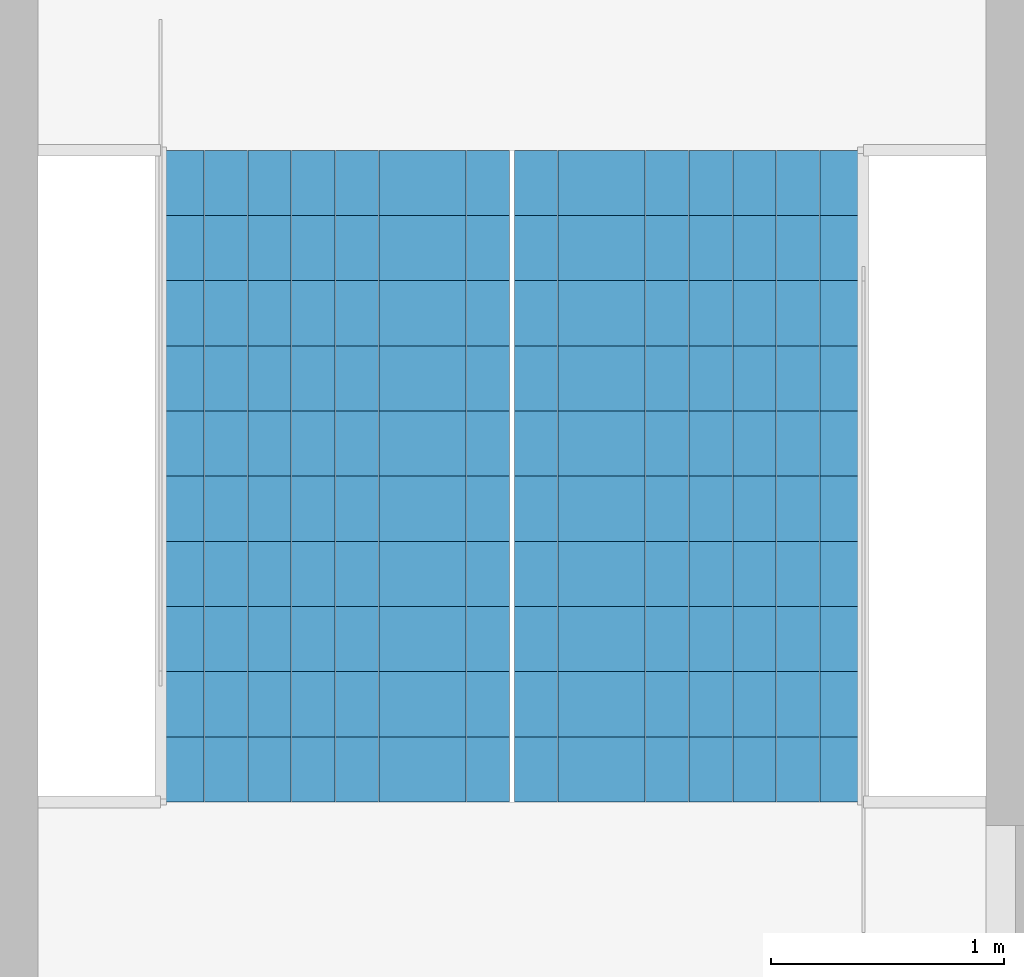
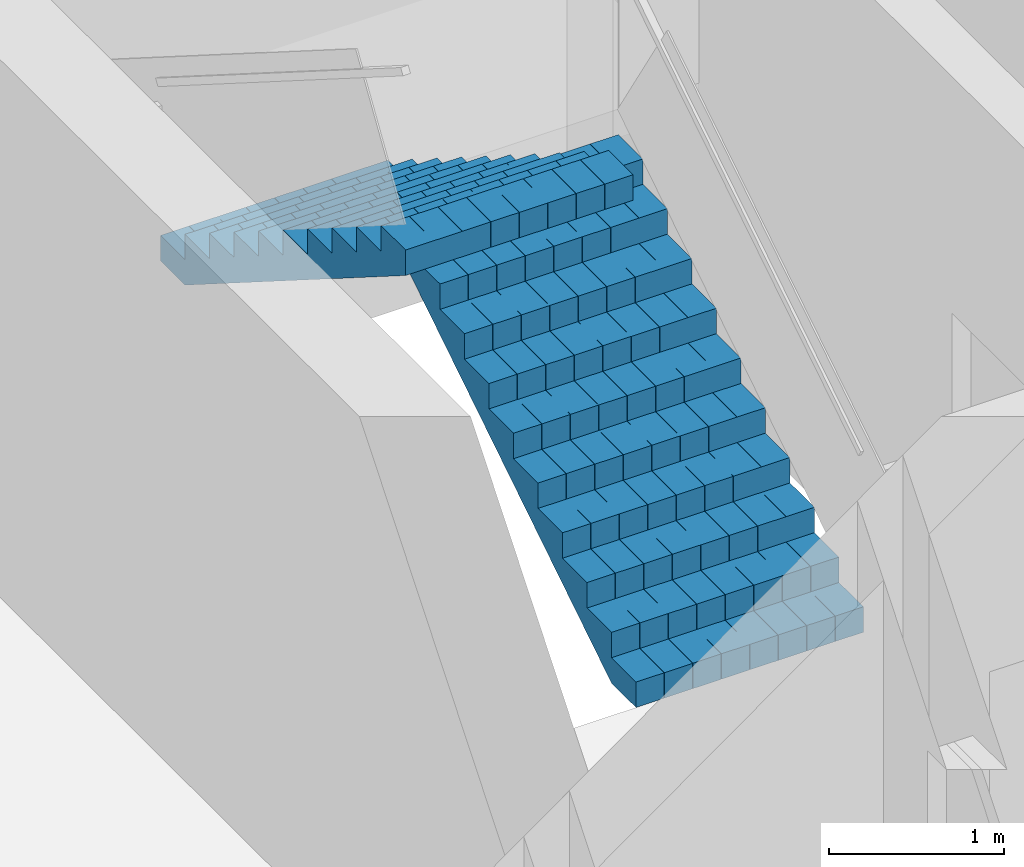
# One storey, part 14 of 16: 2 stair flights, 1 element without a shape of its own.
"""IFC4 building model written with IfcOpenShell, lengths in metres."""

from ifc_helpers import new_model, si_unit, direction, frame, origin, place, context, subcontext, project, spatial, polyline, outline, extrude, material, type_object, element, aggregate, save


model = new_model("IFC4")

# Units and contexts
model_context = context("Model", 3, precision=1e-05, world=origin(), true_north=direction((0.0, 1.0)))
body_context = subcontext(model_context, "Body", "Model", "MODEL_VIEW")
ifc_project = project(units=[si_unit("LENGTHUNIT", "METRE"), si_unit("AREAUNIT", "SQUARE_METRE"), si_unit("VOLUMEUNIT", "CUBIC_METRE"), si_unit("PLANEANGLEUNIT", "RADIAN"), si_unit("MASSUNIT", "GRAM", prefix="KILO")], contexts=[model_context])

# Site, building, storey
site_placement = place(None, origin())
site = spatial("IfcSite", under=ifc_project, at=site_placement, CompositionType="ELEMENT")
building_placement = place(site_placement, origin())
building = spatial("IfcBuilding", under=site, at=building_placement, Name="Kolab Exchange Tower", CompositionType="ELEMENT")
storey_placement = place(building_placement, frame((0.0, 0.0, 269.60009765625)))
storey = spatial("IfcBuildingStorey", under=building, at=storey_placement, Name="L60", CompositionType="ELEMENT", Elevation=269.60009765625)

# Stair, stair flights
ifc_material = material(Name="Concrete C50/60", Category="concrete")
stair_type = type_object("IfcStairType", Name="STAIR ST1 RISER 177.3", PredefinedType="HALF_TURN_STAIR", material=ifc_material)
stair_placement = place(storey_placement, origin())
stair = element("IfcStair", 1, at=stair_placement, inside=storey, type_object=stair_type, Name="Stair 1", PredefinedType="HALF_TURN_STAIR")
stair_flight_type = type_object("IfcStairFlightType", Name="STAIR FLIGHT 1500 RISER 177.3", PredefinedType="STRAIGHT", material=ifc_material)
stair_flight_1_placement = place(storey_placement, frame((-6.527587890625, 5.550048828125, 0.0), z_axis=(0.0, 0.0, 1.0), x_axis=(0.0, 1.0, 0.0)))
stair_flight_1 = element("IfcStairFlight", 2, at=stair_flight_1_placement, type_object=stair_flight_type, Name="ST1 flight 1", NumberOfRisers=11, NumberOfTreads=10, PredefinedType="STRAIGHT", RiserHeight=0.177272727, TreadLength=0.28, context=body_context, shape_type="SweptSolid", body=[
    extrude(outline(polyline([(0.0, 0.0), (0.0, 0.17724609375), (0.280029296875, 0.17724609375), (0.280029296875, 0.3544921875), (0.56005859375, 0.3544921875), (0.56005859375, 0.53173828125), (0.840087890625, 0.53173828125), (0.840087890625, 0.708984375), (1.1201171875, 0.708984375), (1.1201171875, 0.886474609375), (1.39990234375, 0.886474609375), (1.39990234375, 1.063720703125), (1.679931640625, 1.063720703125), (1.679931640625, 1.240966796875), (1.9599609375, 1.240966796875), (1.9599609375, 1.418212890625), (2.239990234375, 1.418212890625), (2.239990234375, 1.595458984375), (2.52001953125, 1.595458984375), (2.52001953125, 1.772705078125), (2.800048828125, 1.772705078125), (2.800048828125, 1.949951171875), (2.800048828125, 1.59521484375), (0.2802734375, 0.0), (0.0, 0.0)])), frame((0.0, 0.75, 0.0), z_axis=(0.0, -1.0, 0.0), x_axis=(1.0, 0.0, 0.0)), (0.0, 0.0, 1.0), 0.185791015625),
    extrude(outline(polyline([(0.0, 0.0), (0.0, 0.17724609375), (0.280029296875, 0.17724609375), (0.280029296875, 0.3544921875), (0.56005859375, 0.3544921875), (0.56005859375, 0.53173828125), (0.840087890625, 0.53173828125), (0.840087890625, 0.708984375), (1.1201171875, 0.708984375), (1.1201171875, 0.886474609375), (1.39990234375, 0.886474609375), (1.39990234375, 1.063720703125), (1.679931640625, 1.063720703125), (1.679931640625, 1.240966796875), (1.9599609375, 1.240966796875), (1.9599609375, 1.418212890625), (2.239990234375, 1.418212890625), (2.239990234375, 1.595458984375), (2.52001953125, 1.595458984375), (2.52001953125, 1.772705078125), (2.800048828125, 1.772705078125), (2.800048828125, 1.949951171875), (2.800048828125, 1.59521484375), (0.2802734375, 0.0), (0.0, 0.0)])), frame((0.0, 0.562255859375, 0.0), z_axis=(0.0, -1.0, 0.0), x_axis=(1.0, 0.0, 0.0)), (0.0, 0.0, 1.0), 0.185791015625),
    extrude(outline(polyline([(0.0, 0.0), (0.0, 0.17724609375), (0.280029296875, 0.17724609375), (0.280029296875, 0.3544921875), (0.56005859375, 0.3544921875), (0.56005859375, 0.53173828125), (0.840087890625, 0.53173828125), (0.840087890625, 0.708984375), (1.1201171875, 0.708984375), (1.1201171875, 0.886474609375), (1.39990234375, 0.886474609375), (1.39990234375, 1.063720703125), (1.679931640625, 1.063720703125), (1.679931640625, 1.240966796875), (1.9599609375, 1.240966796875), (1.9599609375, 1.418212890625), (2.239990234375, 1.418212890625), (2.239990234375, 1.595458984375), (2.52001953125, 1.595458984375), (2.52001953125, 1.772705078125), (2.800048828125, 1.772705078125), (2.800048828125, 1.949951171875), (2.800048828125, 1.59521484375), (0.2802734375, 0.0), (0.0, 0.0)])), frame((0.0, 0.37451171875, 0.0), z_axis=(0.0, -1.0, 0.0), x_axis=(1.0, 0.0, 0.0)), (0.0, 0.0, 1.0), 0.185791015625),
    extrude(outline(polyline([(0.0, 0.0), (0.0, 0.17724609375), (0.280029296875, 0.17724609375), (0.280029296875, 0.3544921875), (0.56005859375, 0.3544921875), (0.56005859375, 0.53173828125), (0.840087890625, 0.53173828125), (0.840087890625, 0.708984375), (1.1201171875, 0.708984375), (1.1201171875, 0.886474609375), (1.39990234375, 0.886474609375), (1.39990234375, 1.063720703125), (1.679931640625, 1.063720703125), (1.679931640625, 1.240966796875), (1.9599609375, 1.240966796875), (1.9599609375, 1.418212890625), (2.239990234375, 1.418212890625), (2.239990234375, 1.595458984375), (2.52001953125, 1.595458984375), (2.52001953125, 1.772705078125), (2.800048828125, 1.772705078125), (2.800048828125, 1.949951171875), (2.800048828125, 1.59521484375), (0.2802734375, 0.0), (0.0, 0.0)])), frame((0.0, 0.186767578125, 0.0), z_axis=(0.0, -1.0, 0.0), x_axis=(1.0, 0.0, 0.0)), (0.0, 0.0, 1.0), 0.185791015625),
    extrude(outline(polyline([(0.0, 0.0), (0.0, 0.17724609375), (0.280029296875, 0.17724609375), (0.280029296875, 0.3544921875), (0.56005859375, 0.3544921875), (0.56005859375, 0.53173828125), (0.840087890625, 0.53173828125), (0.840087890625, 0.708984375), (1.1201171875, 0.708984375), (1.1201171875, 0.886474609375), (1.39990234375, 0.886474609375), (1.39990234375, 1.063720703125), (1.679931640625, 1.063720703125), (1.679931640625, 1.240966796875), (1.9599609375, 1.240966796875), (1.9599609375, 1.418212890625), (2.239990234375, 1.418212890625), (2.239990234375, 1.595458984375), (2.52001953125, 1.595458984375), (2.52001953125, 1.772705078125), (2.800048828125, 1.772705078125), (2.800048828125, 1.949951171875), (2.800048828125, 1.59521484375), (0.2802734375, 0.0), (0.0, 0.0)])), frame((0.0, -0.0009765625, 0.0), z_axis=(0.0, -1.0, 0.0), x_axis=(1.0, 0.0, 0.0)), (0.0, 0.0, 1.0), 0.185791015625),
    extrude(outline(polyline([(0.0, 0.0), (0.0, 0.17724609375), (0.280029296875, 0.17724609375), (0.280029296875, 0.3544921875), (0.56005859375, 0.3544921875), (0.56005859375, 0.53173828125), (0.840087890625, 0.53173828125), (0.840087890625, 0.708984375), (1.1201171875, 0.708984375), (1.1201171875, 0.886474609375), (1.39990234375, 0.886474609375), (1.39990234375, 1.063720703125), (1.679931640625, 1.063720703125), (1.679931640625, 1.240966796875), (1.9599609375, 1.240966796875), (1.9599609375, 1.418212890625), (2.239990234375, 1.418212890625), (2.239990234375, 1.595458984375), (2.52001953125, 1.595458984375), (2.52001953125, 1.772705078125), (2.800048828125, 1.772705078125), (2.800048828125, 1.949951171875), (2.800048828125, 1.59521484375), (0.2802734375, 0.0), (0.0, 0.0)])), frame((0.0, -0.188720703125, 0.0), z_axis=(0.0, -1.0, 0.0), x_axis=(1.0, 0.0, 0.0)), (0.0, 0.0, 1.0), 0.185791015625),
    extrude(outline(polyline([(0.0, 0.0), (0.0, 0.17724609375), (0.280029296875, 0.17724609375), (0.280029296875, 0.3544921875), (0.56005859375, 0.3544921875), (0.56005859375, 0.53173828125), (0.840087890625, 0.53173828125), (0.840087890625, 0.708984375), (1.1201171875, 0.708984375), (1.1201171875, 0.886474609375), (1.39990234375, 0.886474609375), (1.39990234375, 1.063720703125), (1.679931640625, 1.063720703125), (1.679931640625, 1.240966796875), (1.9599609375, 1.240966796875), (1.9599609375, 1.418212890625), (2.239990234375, 1.418212890625), (2.239990234375, 1.595458984375), (2.52001953125, 1.595458984375), (2.52001953125, 1.772705078125), (2.800048828125, 1.772705078125), (2.800048828125, 1.949951171875), (2.800048828125, 1.59521484375), (0.2802734375, 0.0), (0.0, 0.0)])), frame((0.0, -0.37646484375, 0.0), z_axis=(0.0, -1.0, 0.0), x_axis=(1.0, 0.0, 0.0)), (0.0, 0.0, 1.0), 0.185791015625),
    extrude(outline(polyline([(0.0, 0.0), (0.0, 0.17724609375), (0.280029296875, 0.17724609375), (0.280029296875, 0.3544921875), (0.56005859375, 0.3544921875), (0.56005859375, 0.53173828125), (0.840087890625, 0.53173828125), (0.840087890625, 0.708984375), (1.1201171875, 0.708984375), (1.1201171875, 0.886474609375), (1.39990234375, 0.886474609375), (1.39990234375, 1.063720703125), (1.679931640625, 1.063720703125), (1.679931640625, 1.240966796875), (1.9599609375, 1.240966796875), (1.9599609375, 1.418212890625), (2.239990234375, 1.418212890625), (2.239990234375, 1.595458984375), (2.52001953125, 1.595458984375), (2.52001953125, 1.772705078125), (2.800048828125, 1.772705078125), (2.800048828125, 1.949951171875), (2.800048828125, 1.59521484375), (0.2802734375, 0.0), (0.0, 0.0)])), frame((0.0, -0.564208984375, 0.0), z_axis=(0.0, -1.0, 0.0), x_axis=(1.0, 0.0, 0.0)), (0.0, 0.0, 1.0), 0.185791015625),
])
stair_flight_2_placement = place(storey_placement, frame((-8.047607421875, 8.35009765625, 1.949951171875), z_axis=(0.0, 0.0, 1.0), x_axis=(0.0, -1.0, 0.0)))
stair_flight_2 = element("IfcStairFlight", 3, at=stair_flight_2_placement, type_object=stair_flight_type, Name="ST1 flight 2", NumberOfRisers=11, NumberOfTreads=10, PredefinedType="STRAIGHT", RiserHeight=0.177272727, TreadLength=0.28, context=body_context, shape_type="SweptSolid", body=[
    extrude(outline(polyline([(0.0, 0.0), (0.0, 0.17724609375), (0.280029296875, 0.17724609375), (0.280029296875, 0.3544921875), (0.56005859375, 0.3544921875), (0.56005859375, 0.53173828125), (0.840087890625, 0.53173828125), (0.840087890625, 0.708984375), (1.1201171875, 0.708984375), (1.1201171875, 0.886474609375), (1.39990234375, 0.886474609375), (1.39990234375, 1.063720703125), (1.679931640625, 1.063720703125), (1.679931640625, 1.240966796875), (1.9599609375, 1.240966796875), (1.9599609375, 1.418212890625), (2.239990234375, 1.418212890625), (2.239990234375, 1.595458984375), (2.52001953125, 1.595458984375), (2.52001953125, 1.772705078125), (2.800048828125, 1.772705078125), (2.800048828125, 1.949951171875), (2.800048828125, 1.59521484375), (0.2802734375, 0.0), (0.0, 0.0)])), frame((0.0, 0.75, 0.0), z_axis=(0.0, -1.0, 0.0), x_axis=(1.0, 0.0, 0.0)), (0.0, 0.0, 1.0), 0.185791015625),
    extrude(outline(polyline([(0.0, 0.0), (0.0, 0.17724609375), (0.280029296875, 0.17724609375), (0.280029296875, 0.3544921875), (0.56005859375, 0.3544921875), (0.56005859375, 0.53173828125), (0.840087890625, 0.53173828125), (0.840087890625, 0.708984375), (1.1201171875, 0.708984375), (1.1201171875, 0.886474609375), (1.39990234375, 0.886474609375), (1.39990234375, 1.063720703125), (1.679931640625, 1.063720703125), (1.679931640625, 1.240966796875), (1.9599609375, 1.240966796875), (1.9599609375, 1.418212890625), (2.239990234375, 1.418212890625), (2.239990234375, 1.595458984375), (2.52001953125, 1.595458984375), (2.52001953125, 1.772705078125), (2.800048828125, 1.772705078125), (2.800048828125, 1.949951171875), (2.800048828125, 1.59521484375), (0.2802734375, 0.0), (0.0, 0.0)])), frame((0.0, 0.562255859375, 0.0), z_axis=(0.0, -1.0, 0.0), x_axis=(1.0, 0.0, 0.0)), (0.0, 0.0, 1.0), 0.185791015625),
    extrude(outline(polyline([(0.0, 0.0), (0.0, 0.17724609375), (0.280029296875, 0.17724609375), (0.280029296875, 0.3544921875), (0.56005859375, 0.3544921875), (0.56005859375, 0.53173828125), (0.840087890625, 0.53173828125), (0.840087890625, 0.708984375), (1.1201171875, 0.708984375), (1.1201171875, 0.886474609375), (1.39990234375, 0.886474609375), (1.39990234375, 1.063720703125), (1.679931640625, 1.063720703125), (1.679931640625, 1.240966796875), (1.9599609375, 1.240966796875), (1.9599609375, 1.418212890625), (2.239990234375, 1.418212890625), (2.239990234375, 1.595458984375), (2.52001953125, 1.595458984375), (2.52001953125, 1.772705078125), (2.800048828125, 1.772705078125), (2.800048828125, 1.949951171875), (2.800048828125, 1.59521484375), (0.2802734375, 0.0), (0.0, 0.0)])), frame((0.0, 0.37451171875, 0.0), z_axis=(0.0, -1.0, 0.0), x_axis=(1.0, 0.0, 0.0)), (0.0, 0.0, 1.0), 0.185791015625),
    extrude(outline(polyline([(0.0, 0.0), (0.0, 0.17724609375), (0.280029296875, 0.17724609375), (0.280029296875, 0.3544921875), (0.56005859375, 0.3544921875), (0.56005859375, 0.53173828125), (0.840087890625, 0.53173828125), (0.840087890625, 0.708984375), (1.1201171875, 0.708984375), (1.1201171875, 0.886474609375), (1.39990234375, 0.886474609375), (1.39990234375, 1.063720703125), (1.679931640625, 1.063720703125), (1.679931640625, 1.240966796875), (1.9599609375, 1.240966796875), (1.9599609375, 1.418212890625), (2.239990234375, 1.418212890625), (2.239990234375, 1.595458984375), (2.52001953125, 1.595458984375), (2.52001953125, 1.772705078125), (2.800048828125, 1.772705078125), (2.800048828125, 1.949951171875), (2.800048828125, 1.59521484375), (0.2802734375, 0.0), (0.0, 0.0)])), frame((0.0, 0.186767578125, 0.0), z_axis=(0.0, -1.0, 0.0), x_axis=(1.0, 0.0, 0.0)), (0.0, 0.0, 1.0), 0.185791015625),
    extrude(outline(polyline([(0.0, 0.0), (0.0, 0.17724609375), (0.280029296875, 0.17724609375), (0.280029296875, 0.3544921875), (0.56005859375, 0.3544921875), (0.56005859375, 0.53173828125), (0.840087890625, 0.53173828125), (0.840087890625, 0.708984375), (1.1201171875, 0.708984375), (1.1201171875, 0.886474609375), (1.39990234375, 0.886474609375), (1.39990234375, 1.063720703125), (1.679931640625, 1.063720703125), (1.679931640625, 1.240966796875), (1.9599609375, 1.240966796875), (1.9599609375, 1.418212890625), (2.239990234375, 1.418212890625), (2.239990234375, 1.595458984375), (2.52001953125, 1.595458984375), (2.52001953125, 1.772705078125), (2.800048828125, 1.772705078125), (2.800048828125, 1.949951171875), (2.800048828125, 1.59521484375), (0.2802734375, 0.0), (0.0, 0.0)])), frame((0.0, -0.0009765625, 0.0), z_axis=(0.0, -1.0, 0.0), x_axis=(1.0, 0.0, 0.0)), (0.0, 0.0, 1.0), 0.185791015625),
    extrude(outline(polyline([(0.0, 0.0), (0.0, 0.17724609375), (0.280029296875, 0.17724609375), (0.280029296875, 0.3544921875), (0.56005859375, 0.3544921875), (0.56005859375, 0.53173828125), (0.840087890625, 0.53173828125), (0.840087890625, 0.708984375), (1.1201171875, 0.708984375), (1.1201171875, 0.886474609375), (1.39990234375, 0.886474609375), (1.39990234375, 1.063720703125), (1.679931640625, 1.063720703125), (1.679931640625, 1.240966796875), (1.9599609375, 1.240966796875), (1.9599609375, 1.418212890625), (2.239990234375, 1.418212890625), (2.239990234375, 1.595458984375), (2.52001953125, 1.595458984375), (2.52001953125, 1.772705078125), (2.800048828125, 1.772705078125), (2.800048828125, 1.949951171875), (2.800048828125, 1.59521484375), (0.2802734375, 0.0), (0.0, 0.0)])), frame((0.0, -0.188720703125, 0.0), z_axis=(0.0, -1.0, 0.0), x_axis=(1.0, 0.0, 0.0)), (0.0, 0.0, 1.0), 0.185791015625),
    extrude(outline(polyline([(0.0, 0.0), (0.0, 0.17724609375), (0.280029296875, 0.17724609375), (0.280029296875, 0.3544921875), (0.56005859375, 0.3544921875), (0.56005859375, 0.53173828125), (0.840087890625, 0.53173828125), (0.840087890625, 0.708984375), (1.1201171875, 0.708984375), (1.1201171875, 0.886474609375), (1.39990234375, 0.886474609375), (1.39990234375, 1.063720703125), (1.679931640625, 1.063720703125), (1.679931640625, 1.240966796875), (1.9599609375, 1.240966796875), (1.9599609375, 1.418212890625), (2.239990234375, 1.418212890625), (2.239990234375, 1.595458984375), (2.52001953125, 1.595458984375), (2.52001953125, 1.772705078125), (2.800048828125, 1.772705078125), (2.800048828125, 1.949951171875), (2.800048828125, 1.59521484375), (0.2802734375, 0.0), (0.0, 0.0)])), frame((0.0, -0.37646484375, 0.0), z_axis=(0.0, -1.0, 0.0), x_axis=(1.0, 0.0, 0.0)), (0.0, 0.0, 1.0), 0.185791015625),
    extrude(outline(polyline([(0.0, 0.0), (0.0, 0.17724609375), (0.280029296875, 0.17724609375), (0.280029296875, 0.3544921875), (0.56005859375, 0.3544921875), (0.56005859375, 0.53173828125), (0.840087890625, 0.53173828125), (0.840087890625, 0.708984375), (1.1201171875, 0.708984375), (1.1201171875, 0.886474609375), (1.39990234375, 0.886474609375), (1.39990234375, 1.063720703125), (1.679931640625, 1.063720703125), (1.679931640625, 1.240966796875), (1.9599609375, 1.240966796875), (1.9599609375, 1.418212890625), (2.239990234375, 1.418212890625), (2.239990234375, 1.595458984375), (2.52001953125, 1.595458984375), (2.52001953125, 1.772705078125), (2.800048828125, 1.772705078125), (2.800048828125, 1.949951171875), (2.800048828125, 1.59521484375), (0.2802734375, 0.0), (0.0, 0.0)])), frame((0.0, -0.564208984375, 0.0), z_axis=(0.0, -1.0, 0.0), x_axis=(1.0, 0.0, 0.0)), (0.0, 0.0, 1.0), 0.185791015625),
])
aggregate(stair, [stair_flight_1, stair_flight_2])

save(model, "model.ifc")
